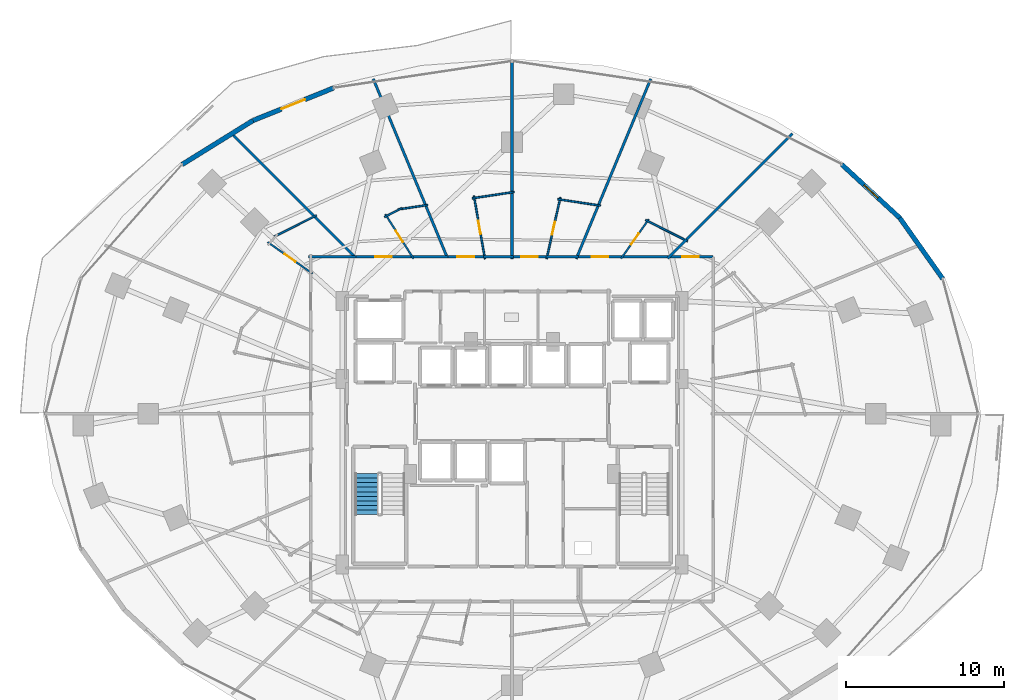
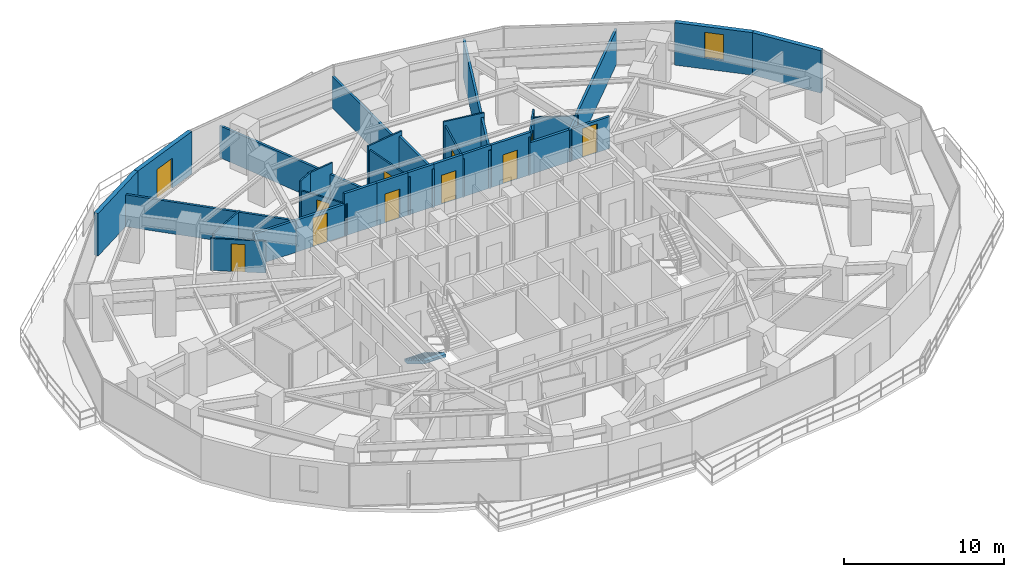
# One storey, part 31 of 36: 33 walls, 11 doors, 1 stair flight, 1 window, 12 openings, 1 element without a shape of its own.
"""IFC4 building model written with IfcOpenShell, lengths in metres."""

from ifc_helpers import new_model, si_unit, direction, frame, frame_2d, origin, place, context, subcontext, project, spatial, polyline, rectangle, outline, extrude, material, layer, layer_set, type_object, element, fill, aggregate, save


model = new_model("IFC4")

# Units and contexts
model_context = context("Model", 3, precision=1e-05, world=origin(), true_north=direction((0.0, 1.0)))
body_context = subcontext(model_context, "Body", "Model", "MODEL_VIEW")
ifc_project = project(units=[si_unit("LENGTHUNIT", "METRE"), si_unit("AREAUNIT", "SQUARE_METRE"), si_unit("VOLUMEUNIT", "CUBIC_METRE"), si_unit("PLANEANGLEUNIT", "RADIAN"), si_unit("MASSUNIT", "GRAM", prefix="KILO")], contexts=[model_context])

# Site, building, storey
site_placement = place(None, origin())
site = spatial("IfcSite", under=ifc_project, at=site_placement, CompositionType="ELEMENT")
building_placement = place(site_placement, origin())
building = spatial("IfcBuilding", under=site, at=building_placement, Name="Vorneva Point Tower", CompositionType="ELEMENT")
storey_placement = place(building_placement, frame((0.0, 0.0, 24.0)))
storey = spatial("IfcBuildingStorey", under=building, at=storey_placement, Name="L05", CompositionType="ELEMENT", Elevation=24.0)

# Wall
ifc_material_1 = material(Name="Precast concrete B50 (C40/50)", Category="concrete")
ifc_layer_1 = layer(ifc_material_1, 0.300048828125)
ifc_layer_set_1 = layer_set([ifc_layer_1], Name="Precast concrete B50 (C40/50)")
wall_type_1 = type_object("IfcWallType", Name="WL-EXT-300", PredefinedType="STANDARD", material=ifc_layer_set_1)
wall_1_placement = place(storey_placement, frame((65.300537109375, 34.552978515625, 0.0), z_axis=(0.0, 0.0, 1.0), x_axis=(-0.577130815624, 0.816651713803, 0.0)))
element("IfcWall", 1, at=wall_1_placement, inside=storey, type_object=wall_type_1, Name="L05 Pale-Metal Facade Spandrel Wall 02.1", PredefinedType="STANDARD", context=body_context, shape_type="SweptSolid", body=[
    extrude(rectangle(XDim=4.7314453125, YDim=0.300048828125, at=frame_2d((2.36572265625, 0.0))), origin(), (0.0, 0.0, 1.0), 3.239990234375),
])

# Wall, opening, window
wall_2_placement = place(storey_placement, frame((62.56982421875, 38.4169921875, 0.0), z_axis=(0.0, 0.0, 1.0), x_axis=(-0.735342629635, 0.677695519419, 0.0)))
wall_2 = element("IfcWall", 2, at=wall_2_placement, inside=storey, type_object=wall_type_1, Name="L05 Pale-Metal Facade Spandrel Wall 02.2", PredefinedType="STANDARD", context=body_context, shape_type="SweptSolid", body=[
    extrude(rectangle(XDim=4.997314453125, YDim=0.300048828125, at=frame_2d((2.49853515625, 0.0))), origin(), (0.0, 0.0, 1.0), 3.239990234375),
])
opening_1_placement = place(wall_2_placement, frame((1.868896484375, 0.0, 0.85009765625)))
opening_1 = element("IfcOpeningElement", 3, at=opening_1_placement, cuts=wall_2, Name="Opening W-04", PredefinedType="OPENING", context=body_context, shape_type="SweptSolid", body=[
    extrude(rectangle(XDim=1.199951171875, YDim=1.949951171875, at=frame_2d((0.60009765625, 0.97509765625))), frame((0.0, 0.1650390625, 0.0), z_axis=(0.0, -1.0, 0.0), x_axis=(1.0, 0.0, 0.0)), (0.0, 0.0, 1.0), 0.329833984375),
])
ifc_material_2 = material(Name="Double low-e laminated glass IGU", Category="glass")
window_type = type_object("IfcWindowType", Name="WN-RES-1200", PartitioningType="SINGLE_PANEL", PredefinedType="WINDOW", material=ifc_material_2)
window_placement = place(opening_1_placement, origin())
window = element("IfcWindow", 4, at=window_placement, inside=storey, type_object=window_type, Name="L05 Dwelling Vision Window 01", OverallHeight=1.949951171875, OverallWidth=1.199951171875, PartitioningType="SINGLE_PANEL", PredefinedType="WINDOW", context=body_context, shape_type="SweptSolid", body=[
    extrude(rectangle(XDim=1.199951171875, YDim=1.949951171875, at=frame_2d((0.60009765625, 0.97509765625))), frame((0.0, 0.030029296875, 0.0), z_axis=(0.0, -1.0, 0.0), x_axis=(1.0, 0.0, 0.0)), (0.0, 0.0, 1.0), 0.06005859375),
])
fill(opening_1, window)

# Wall, opening, door
wall_3_placement = place(storey_placement, frame((26.691650390625, 46.648681640625, 0.0), z_axis=(0.0, 0.0, 1.0), x_axis=(-0.927095325176, -0.374825636845, 0.0)))
wall_3 = element("IfcWall", 5, at=wall_3_placement, inside=storey, type_object=wall_type_1, Name="L05 Pale-Metal Facade Spandrel Wall 06.1", PredefinedType="STANDARD", context=body_context, shape_type="SweptSolid", body=[
    extrude(rectangle(XDim=5.51025390625, YDim=0.300048828125, at=frame_2d((2.755126953125, 0.0))), origin(), (0.0, 0.0, 1.0), 3.239990234375),
])
opening_2_placement = place(wall_3_placement, frame((1.955322265625, 0.0, 0.0)))
opening_2 = element("IfcOpeningElement", 6, at=opening_2_placement, cuts=wall_3, Name="Opening BD-01", PredefinedType="OPENING", context=body_context, shape_type="SweptSolid", body=[
    extrude(rectangle(XDim=1.60009765625, YDim=2.300048828125, at=frame_2d((0.800048828125, 1.14990234375))), frame((0.0, 0.1650390625, 0.0), z_axis=(0.0, -1.0, 0.0), x_axis=(1.0, 0.0, 0.0)), (0.0, 0.0, 1.0), 0.329833984375),
])
ifc_material_3 = material(Name="Pale anodised aluminium", Category="aluminium")
door_type_1 = type_object("IfcDoorType", Name="DR-BAL-1600", OperationType="SLIDING_TO_LEFT", PredefinedType="DOOR", material=ifc_material_3)
door_1_placement = place(opening_2_placement, origin())
door_1 = element("IfcDoor", 7, at=door_1_placement, inside=storey, type_object=door_type_1, Name="L05 Balcony Terrace Access Door 06", OperationType="SLIDING_TO_LEFT", OverallHeight=2.300048828125, OverallWidth=1.60009765625, PredefinedType="DOOR", context=body_context, shape_type="SweptSolid", body=[
    extrude(rectangle(XDim=1.60009765625, YDim=2.300048828125, at=frame_2d((0.800048828125, 1.14990234375))), frame((0.0, 0.02490234375, 0.0), z_axis=(0.0, -1.0, 0.0), x_axis=(1.0, 0.0, 0.0)), (0.0, 0.0, 1.0), 0.050048828125),
])
fill(opening_2, door_1)

# Walls
wall_4_placement = place(storey_placement, frame((21.5830078125, 44.583251953125, 0.0), z_axis=(0.0, 0.0, 1.0), x_axis=(-0.849633724826, -0.527373239404, 0.0)))
element("IfcWall", 8, at=wall_4_placement, inside=storey, type_object=wall_type_1, Name="L05 Pale-Metal Facade Spandrel Wall 06.2", PredefinedType="STANDARD", context=body_context, shape_type="SweptSolid", body=[
    extrude(rectangle(XDim=5.2705078125, YDim=0.300048828125, at=frame_2d((2.63525390625, 0.0))), origin(), (0.0, 0.0, 1.0), 3.239990234375),
])
ifc_material_4 = material(Name="Fire-rated acoustic gypsum stud partition", Category="gypsum")
ifc_layer_2 = layer(ifc_material_4, 0.110107421875)
ifc_layer_set_2 = layer_set([ifc_layer_2], Name="Fire-rated acoustic gypsum stud partition")
wall_type_2 = type_object("IfcWallType", Name="WL-PART-110", PredefinedType="PARTITIONING", material=ifc_layer_set_2)
wall_5_placement = place(storey_placement, frame((46.462158203125, 38.281005859375, 0.0), z_axis=(0.0, 0.0, 1.0), x_axis=(0.892486842203, -0.451073426944, 0.0)))
element("IfcWall", 9, at=wall_5_placement, inside=storey, type_object=wall_type_2, Name="L05 Interior Partition 068", PredefinedType="PARTITIONING", context=body_context, shape_type="SweptSolid", body=[
    extrude(rectangle(XDim=2.982177734375, YDim=0.110107421875, at=frame_2d((1.4912109375, 0.0))), origin(), (0.0, 0.0, 1.0), 2.431884765625),
])

# Wall, opening, door
wall_6_placement = place(storey_placement, frame((44.91259765625, 35.83544921875, 0.0), z_axis=(0.0, 0.0, 1.0), x_axis=(0.574986040322, 0.818163219312, 0.0)))
wall_6 = element("IfcWall", 10, at=wall_6_placement, inside=storey, type_object=wall_type_2, Name="L05 Interior Partition 069", PredefinedType="PARTITIONING", context=body_context, shape_type="SweptSolid", body=[
    extrude(rectangle(XDim=3.052001953125, YDim=0.110107421875, at=frame_2d((1.52587890625, 0.0))), origin(), (0.0, 0.0, 1.0), 2.922119140625),
])
opening_3_placement = place(wall_6_placement, frame((1.10107421875, 0.0, 0.0)))
opening_3 = element("IfcOpeningElement", 11, at=opening_3_placement, cuts=wall_6, Name="Opening ID-02", PredefinedType="OPENING", context=body_context, shape_type="SweptSolid", body=[
    extrude(rectangle(XDim=0.85009765625, YDim=2.10009765625, at=frame_2d((0.425048828125, 1.050048828125))), frame((0.0, 0.06982421875, 0.0), z_axis=(0.0, -1.0, 0.0), x_axis=(1.0, 0.0, 0.0)), (0.0, 0.0, 1.0), 0.139892578125),
])
ifc_material_5 = material(Name="Engineered oak fire-rated door leaf", Category="wood")
door_type_2 = type_object("IfcDoorType", Name="DR-BATH-850", OperationType="NOTDEFINED", PredefinedType="DOOR", material=ifc_material_5)
door_2_placement = place(opening_3_placement, origin())
door_2 = element("IfcDoor", 12, at=door_2_placement, inside=storey, type_object=door_type_2, Name="L05 Door Corner Suite L05-03 / En-Suite Bathroom L05-03", OperationType="SINGLE_SWING_LEFT", OverallHeight=2.10009765625, OverallWidth=0.85009765625, PredefinedType="DOOR", context=body_context, shape_type="SweptSolid", body=[
    extrude(rectangle(XDim=0.85009765625, YDim=2.10009765625, at=frame_2d((0.425048828125, 1.050048828125))), frame((0.0, 0.02490234375, 0.0), z_axis=(0.0, -1.0, 0.0), x_axis=(1.0, 0.0, 0.0)), (0.0, 0.0, 1.0), 0.050048828125),
])
fill(opening_3, door_2)

wall_7_placement = place(storey_placement, frame((40.193603515625, 35.8134765625, 0.0), z_axis=(0.0, 0.0, 1.0), x_axis=(0.21804880916, 0.975937865248, 0.0)))
wall_7 = element("IfcWall", 13, at=wall_7_placement, inside=storey, type_object=wall_type_2, Name="L05 Interior Partition 072", PredefinedType="PARTITIONING", context=body_context, shape_type="SweptSolid", body=[
    extrude(rectangle(XDim=3.998291015625, YDim=0.110107421875, at=frame_2d((1.9990234375, 0.0))), origin(), (0.0, 0.0, 1.0), 2.922119140625),
])
opening_4_placement = place(wall_7_placement, frame((1.57421875, 0.0, 0.0)))
opening_4 = element("IfcOpeningElement", 14, at=opening_4_placement, cuts=wall_7, Name="Opening ID-02", PredefinedType="OPENING", context=body_context, shape_type="SweptSolid", body=[
    extrude(rectangle(XDim=0.85009765625, YDim=2.10009765625, at=frame_2d((0.425048828125, 1.050048828125))), frame((0.0, 0.06982421875, 0.0), z_axis=(0.0, -1.0, 0.0), x_axis=(1.0, 0.0, 0.0)), (0.0, 0.0, 1.0), 0.139892578125),
])
door_3_placement = place(opening_4_placement, origin())
door_3 = element("IfcDoor", 15, at=door_3_placement, inside=storey, type_object=door_type_2, Name="L05 Door Junior Suite L05-04 / En-Suite Bathroom L05-04", OperationType="SINGLE_SWING_RIGHT", OverallHeight=2.10009765625, OverallWidth=0.85009765625, PredefinedType="DOOR", context=body_context, shape_type="SweptSolid", body=[
    extrude(rectangle(XDim=0.85009765625, YDim=2.10009765625, at=frame_2d((0.425048828125, 1.050048828125))), frame((0.0, 0.02490234375, 0.0), z_axis=(0.0, -1.0, 0.0), x_axis=(1.0, 0.0, 0.0)), (0.0, 0.0, 1.0), 0.050048828125),
])
fill(opening_4, door_3)

# Walls
wall_8_placement = place(storey_placement, frame((40.896484375, 39.599853515625, 0.0), z_axis=(0.0, 0.0, 1.0), x_axis=(0.98891024541, -0.148514398367, 0.0)))
element("IfcWall", 16, at=wall_8_placement, inside=storey, type_object=wall_type_2, Name="L05 Interior Partition 073", PredefinedType="PARTITIONING", context=body_context, shape_type="SweptSolid", body=[
    extrude(rectangle(XDim=2.745361328125, YDim=0.110107421875, at=frame_2d((1.37255859375, 0.0))), origin(), (0.0, 0.0, 1.0), 3.239990234375),
])
wall_9_placement = place(storey_placement, frame((35.474609375, 39.65625, 0.0), z_axis=(0.0, 0.0, 1.0), x_axis=(0.988878442063, 0.148726012595, 0.0)))
element("IfcWall", 17, at=wall_9_placement, inside=storey, type_object=wall_type_2, Name="L05 Interior Partition 076", PredefinedType="PARTITIONING", context=body_context, shape_type="SweptSolid", body=[
    extrude(rectangle(XDim=2.69384765625, YDim=0.110107421875, at=frame_2d((1.346923828125, 0.0))), origin(), (0.0, 0.0, 1.0), 3.239990234375),
])

# Wall, opening, door
wall_10_placement = place(storey_placement, frame((36.287109375, 35.81201171875, 0.0), z_axis=(0.0, 0.0, 1.0), x_axis=(-0.171838135253, 0.985125197766, 0.0)))
wall_10 = element("IfcWall", 18, at=wall_10_placement, inside=storey, type_object=wall_type_2, Name="L05 Interior Partition 077", PredefinedType="PARTITIONING", context=body_context, shape_type="SweptSolid", body=[
    extrude(rectangle(XDim=4.0634765625, YDim=0.110107421875, at=frame_2d((2.03173828125, 0.0))), origin(), (0.0, 0.0, 1.0), 2.922119140625),
])
opening_5_placement = place(wall_10_placement, frame((1.606689453125, 0.0, 0.0)))
opening_5 = element("IfcOpeningElement", 19, at=opening_5_placement, cuts=wall_10, Name="Opening ID-02", PredefinedType="OPENING", context=body_context, shape_type="SweptSolid", body=[
    extrude(rectangle(XDim=0.85009765625, YDim=2.10009765625, at=frame_2d((0.425048828125, 1.050048828125))), frame((0.0, 0.06982421875, 0.0), z_axis=(0.0, -1.0, 0.0), x_axis=(1.0, 0.0, 0.0)), (0.0, 0.0, 1.0), 0.139892578125),
])
door_4_placement = place(opening_5_placement, origin())
door_4 = element("IfcDoor", 20, at=door_4_placement, inside=storey, type_object=door_type_2, Name="L05 Door Executive Suite L05-05 / En-Suite Bathroom L05-05", OperationType="SINGLE_SWING_LEFT", OverallHeight=2.10009765625, OverallWidth=0.85009765625, PredefinedType="DOOR", context=body_context, shape_type="SweptSolid", body=[
    extrude(rectangle(XDim=0.85009765625, YDim=2.10009765625, at=frame_2d((0.425048828125, 1.050048828125))), frame((0.0, 0.02490234375, 0.0), z_axis=(0.0, -1.0, 0.0), x_axis=(1.0, 0.0, 0.0)), (0.0, 0.0, 1.0), 0.050048828125),
])
fill(opening_5, door_4)

# Walls
wall_11_placement = place(storey_placement, frame((29.919189453125, 38.47265625, 0.0), z_axis=(0.0, 0.0, 1.0), x_axis=(0.892084606746, 0.45186840386, 0.0)))
element("IfcWall", 21, at=wall_11_placement, inside=storey, type_object=wall_type_2, Name="L05 Interior Partition 079", PredefinedType="PARTITIONING", context=body_context, shape_type="SweptSolid", body=[
    extrude(rectangle(XDim=1.236083984375, YDim=0.110107421875, at=frame_2d((0.6181640625, 0.0))), origin(), (0.0, 0.0, 1.0), 3.239990234375),
])
wall_12_placement = place(storey_placement, frame((30.758544921875, 38.947265625, 0.0), z_axis=(0.0, 0.0, 1.0), x_axis=(0.988889867338, 0.148650026153, 0.0)))
element("IfcWall", 22, at=wall_12_placement, inside=storey, type_object=wall_type_2, Name="L05 Interior Partition 080", PredefinedType="PARTITIONING", context=body_context, shape_type="SweptSolid", body=[
    extrude(rectangle(XDim=1.92822265625, YDim=0.110107421875, at=frame_2d((0.964111328125, 0.0))), origin(), (0.0, 0.0, 1.0), 3.239990234375),
])

# Wall, opening, door
wall_13_placement = place(storey_placement, frame((31.760986328125, 35.831787109375, 0.0), z_axis=(0.0, 0.0, 1.0), x_axis=(-0.535991614842, 0.844223305067, 0.0)))
wall_13 = element("IfcWall", 23, at=wall_13_placement, inside=storey, type_object=wall_type_2, Name="L05 Interior Partition 081", PredefinedType="PARTITIONING", context=body_context, shape_type="SweptSolid", body=[
    extrude(rectangle(XDim=3.34326171875, YDim=0.110107421875, at=frame_2d((1.671630859375, 0.0))), origin(), (0.0, 0.0, 1.0), 2.431884765625),
])
opening_6_placement = place(wall_13_placement, frame((1.24658203125, 0.0, 0.0)))
opening_6 = element("IfcOpeningElement", 24, at=opening_6_placement, cuts=wall_13, Name="Opening ID-02", PredefinedType="OPENING", context=body_context, shape_type="SweptSolid", body=[
    extrude(rectangle(XDim=0.85009765625, YDim=2.10009765625, at=frame_2d((0.425048828125, 1.050048828125))), frame((0.0, 0.06982421875, 0.0), z_axis=(0.0, -1.0, 0.0), x_axis=(1.0, 0.0, 0.0)), (0.0, 0.0, 1.0), 0.139892578125),
])
door_5_placement = place(opening_6_placement, origin())
door_5 = element("IfcDoor", 25, at=door_5_placement, inside=storey, type_object=door_type_2, Name="L05 Door Corner Suite L05-06 / En-Suite Bathroom L05-06", OperationType="SINGLE_SWING_RIGHT", OverallHeight=2.10009765625, OverallWidth=0.85009765625, PredefinedType="DOOR", context=body_context, shape_type="SweptSolid", body=[
    extrude(rectangle(XDim=0.85009765625, YDim=2.10009765625, at=frame_2d((0.425048828125, 1.050048828125))), frame((0.0, 0.02490234375, 0.0), z_axis=(0.0, -1.0, 0.0), x_axis=(1.0, 0.0, 0.0)), (0.0, 0.0, 1.0), 0.050048828125),
])
fill(opening_6, door_5)

# Wall
wall_14_placement = place(storey_placement, frame((22.941162109375, 37.23095703125, 0.0), z_axis=(0.0, 0.0, 1.0), x_axis=(0.892507731149, 0.451032094024, 0.0)))
element("IfcWall", 26, at=wall_14_placement, inside=storey, type_object=wall_type_2, Name="L05 Interior Partition 084", PredefinedType="PARTITIONING", context=body_context, shape_type="SweptSolid", body=[
    extrude(rectangle(XDim=2.989013671875, YDim=0.110107421875, at=frame_2d((1.49462890625, 0.0))), origin(), (0.0, 0.0, 1.0), 2.431884765625),
])

# Wall, opening, door
wall_15_placement = place(storey_placement, frame((25.364501953125, 34.880615234375, 0.0), z_axis=(0.0, 0.0, 1.0), x_axis=(-0.81809360258, 0.575085087111, 0.0)))
wall_15 = element("IfcWall", 27, at=wall_15_placement, inside=storey, type_object=wall_type_2, Name="L05 Interior Partition 085", PredefinedType="PARTITIONING", context=body_context, shape_type="SweptSolid", body=[
    extrude(rectangle(XDim=3.481201171875, YDim=0.110107421875, at=frame_2d((1.74072265625, 0.0))), origin(), (0.0, 0.0, 1.0), 2.431884765625),
])
opening_7_placement = place(wall_15_placement, frame((1.315673828125, 0.0, 0.0)))
opening_7 = element("IfcOpeningElement", 28, at=opening_7_placement, cuts=wall_15, Name="Opening ID-02", PredefinedType="OPENING", context=body_context, shape_type="SweptSolid", body=[
    extrude(rectangle(XDim=0.85009765625, YDim=2.10009765625, at=frame_2d((0.425048828125, 1.050048828125))), frame((0.0, 0.06982421875, 0.0), z_axis=(0.0, -1.0, 0.0), x_axis=(1.0, 0.0, 0.0)), (0.0, 0.0, 1.0), 0.139892578125),
])
door_6_placement = place(opening_7_placement, origin())
door_6 = element("IfcDoor", 29, at=door_6_placement, inside=storey, type_object=door_type_2, Name="L05 Door Junior Suite L05-07 / En-Suite Bathroom L05-07", OperationType="SINGLE_SWING_LEFT", OverallHeight=2.10009765625, OverallWidth=0.85009765625, PredefinedType="DOOR", context=body_context, shape_type="SweptSolid", body=[
    extrude(rectangle(XDim=0.85009765625, YDim=2.10009765625, at=frame_2d((0.425048828125, 1.050048828125))), frame((0.0, 0.02490234375, 0.0), z_axis=(0.0, -1.0, 0.0), x_axis=(1.0, 0.0, 0.0)), (0.0, 0.0, 1.0), 0.050048828125),
])
fill(opening_7, door_6)

# Walls
ifc_layer_3 = layer(ifc_material_4, 0.159912109375)
ifc_layer_set_3 = layer_set([ifc_layer_3], Name="Fire-rated acoustic gypsum stud partition")
wall_type_3 = type_object("IfcWallType", Name="WL-PART-160", PredefinedType="PARTITIONING", material=ifc_layer_set_3)
wall_16_placement = place(storey_placement, frame((55.7529296875, 43.7529296875, 0.0), z_axis=(0.0, 0.0, 1.0), x_axis=(-0.707106781187, -0.707106781187, 0.0)))
element("IfcWall", 30, at=wall_16_placement, inside=storey, type_object=wall_type_3, Name="L05 Interior Partition 066", PredefinedType="PARTITIONING", context=body_context, shape_type="SweptSolid", body=[
    extrude(rectangle(XDim=9.614990234375, YDim=0.159912109375, at=frame_2d((4.8076171875, 0.0))), origin(), (0.0, 0.0, 1.0), 2.6240234375),
])
wall_17_placement = place(storey_placement, frame((49.052978515625, 37.052978515625, 0.0), z_axis=(0.0, 0.0, 1.0), x_axis=(-0.707106781187, -0.707106781187, 0.0)))
element("IfcWall", 31, at=wall_17_placement, inside=storey, type_object=wall_type_3, Name="L05 Interior Partition 067", PredefinedType="PARTITIONING", context=body_context, shape_type="SweptSolid", body=[
    extrude(rectangle(XDim=1.69970703125, YDim=0.159912109375, at=frame_2d((0.849853515625, 0.0))), origin(), (0.0, 0.0, 1.0), 2.431884765625),
])
wall_18_placement = place(storey_placement, frame((46.7919921875, 47.22509765625, 0.0), z_axis=(0.0, 0.0, 1.0), x_axis=(-0.382750893248, -0.923851586413, 0.0)))
element("IfcWall", 32, at=wall_18_placement, inside=storey, type_object=wall_type_3, Name="L05 Interior Partition 070", PredefinedType="PARTITIONING", context=body_context, shape_type="SweptSolid", body=[
    extrude(rectangle(XDim=8.734130859375, YDim=0.159912109375, at=frame_2d((4.3671875, 0.0))), origin(), (0.0, 0.0, 1.0), 2.8740234375),
])
wall_19_placement = place(storey_placement, frame((43.503173828125, 39.28515625, 0.0), z_axis=(0.0, 0.0, 1.0), x_axis=(-0.382867331148, -0.923803337697, 0.0)))
element("IfcWall", 33, at=wall_19_placement, inside=storey, type_object=wall_type_3, Name="L05 Interior Partition 071", PredefinedType="PARTITIONING", context=body_context, shape_type="SweptSolid", body=[
    extrude(rectangle(XDim=3.75, YDim=0.159912109375, at=frame_2d((1.875, 0.0))), origin(), (0.0, 0.0, 1.0), 2.922119140625),
])
wall_20_placement = place(storey_placement, frame((38.0, 48.35009765625, 0.0), z_axis=(0.0, 0.0, 1.0), x_axis=(0.0, -1.0, 0.0)))
element("IfcWall", 34, at=wall_20_placement, inside=storey, type_object=wall_type_3, Name="L05 Interior Partition 074", PredefinedType="PARTITIONING", context=body_context, shape_type="SweptSolid", body=[
    extrude(rectangle(XDim=8.375, YDim=0.159912109375, at=frame_2d((4.1875, 0.0))), origin(), (0.0, 0.0, 1.0), 2.431884765625),
])
wall_21_placement = place(storey_placement, frame((38.0, 40.114990234375, 0.0), z_axis=(0.0, 0.0, 1.0), x_axis=(0.0, -1.0, 0.0)))
element("IfcWall", 35, at=wall_21_placement, inside=storey, type_object=wall_type_3, Name="L05 Interior Partition 075", PredefinedType="PARTITIONING", context=body_context, shape_type="SweptSolid", body=[
    extrude(rectangle(XDim=4.304931640625, YDim=0.159912109375, at=frame_2d((2.15234375, 0.0))), origin(), (0.0, 0.0, 1.0), 2.922119140625),
])
wall_22_placement = place(storey_placement, frame((29.2080078125, 47.22509765625, 0.0), z_axis=(0.0, 0.0, 1.0), x_axis=(0.382723985517, -0.923862733803, 0.0)))
element("IfcWall", 36, at=wall_22_placement, inside=storey, type_object=wall_type_3, Name="L05 Interior Partition 078", PredefinedType="PARTITIONING", context=body_context, shape_type="SweptSolid", body=[
    extrude(rectangle(XDim=12.204345703125, YDim=0.159912109375, at=frame_2d((6.10205078125, 0.0))), origin(), (0.0, 0.0, 1.0), 2.431884765625),
])
wall_23_placement = place(storey_placement, frame((20.2470703125, 43.7529296875, 0.0), z_axis=(0.0, 0.0, 1.0), x_axis=(0.707106781187, -0.707106781187, 0.0)))
element("IfcWall", 37, at=wall_23_placement, inside=storey, type_object=wall_type_3, Name="L05 Interior Partition 082", PredefinedType="PARTITIONING", context=body_context, shape_type="SweptSolid", body=[
    extrude(rectangle(XDim=11.03515625, YDim=0.159912109375, at=frame_2d((5.517578125, 0.0))), origin(), (0.0, 0.0, 1.0), 2.431884765625),
])

# Wall, opening, door
ifc_material_6 = material(Name="Autoclaved aerated concrete blockwork", Category="masonry")
ifc_layer_4 = layer(ifc_material_6, 0.179931640625)
ifc_layer_set_4 = layer_set([ifc_layer_4], Name="Autoclaved aerated concrete blockwork")
wall_type_4 = type_object("IfcWallType", Name="WL-PART-180", PredefinedType="PARTITIONING", material=ifc_layer_set_4)
wall_24_placement = place(storey_placement, frame((50.75, 35.949951171875, 0.0), z_axis=(0.0, 0.0, 1.0), x_axis=(-1.0, 0.0, 0.0)))
wall_24 = element("IfcWall", 38, at=wall_24_placement, inside=storey, type_object=wall_type_4, Name="L05 Interior Partition 029", PredefinedType="PARTITIONING", context=body_context, shape_type="SweptSolid", body=[
    extrude(rectangle(XDim=2.860107421875, YDim=0.179931640625, at=frame_2d((1.43017578125, 0.0))), origin(), (0.0, 0.0, 1.0), 2.431884765625),
])
opening_8_placement = place(wall_24_placement, frame((0.905029296875, 0.0, 0.0)))
opening_8 = element("IfcOpeningElement", 39, at=opening_8_placement, cuts=wall_24, Name="Opening UD-02", PredefinedType="OPENING", context=body_context, shape_type="SweptSolid", body=[
    extrude(rectangle(XDim=1.050048828125, YDim=2.199951171875, at=frame_2d((0.52490234375, 1.10009765625))), frame((0.0, 0.10498046875, 0.0), z_axis=(0.0, -1.0, 0.0), x_axis=(1.0, 0.0, 0.0)), (0.0, 0.0, 1.0), 0.209716796875),
])
door_type_3 = type_object("IfcDoorType", Name="DR-SUITE-1050", OperationType="NOTDEFINED", PredefinedType="DOOR", material=ifc_material_5)
door_7_placement = place(opening_8_placement, origin())
door_7 = element("IfcDoor", 40, at=door_7_placement, inside=storey, type_object=door_type_3, Name="L05 Door L05 Circulation Corridor / Executive Suite L05-02", OperationType="SINGLE_SWING_RIGHT", OverallHeight=2.199951171875, OverallWidth=1.050048828125, PredefinedType="DOOR", context=body_context, shape_type="SweptSolid", body=[
    extrude(rectangle(XDim=1.050048828125, YDim=2.199951171875, at=frame_2d((0.52490234375, 1.10009765625))), frame((0.0, 0.02490234375, 0.0), z_axis=(0.0, -1.0, 0.0), x_axis=(1.0, 0.0, 0.0)), (0.0, 0.0, 1.0), 0.050048828125),
])
fill(opening_8, door_7)

wall_25_placement = place(storey_placement, frame((45.06591796875, 35.949951171875, 0.0), z_axis=(0.0, 0.0, 1.0), x_axis=(-1.0, 0.0, 0.0)))
wall_25 = element("IfcWall", 41, at=wall_25_placement, inside=storey, type_object=wall_type_4, Name="L05 Interior Partition 031", PredefinedType="PARTITIONING", context=body_context, shape_type="SweptSolid", body=[
    extrude(rectangle(XDim=3.0048828125, YDim=0.179931640625, at=frame_2d((1.50244140625, 0.0))), origin(), (0.0, 0.0, 1.0), 3.239990234375),
])
opening_9_placement = place(wall_25_placement, frame((0.9775390625, 0.0, 0.0)))
opening_9 = element("IfcOpeningElement", 42, at=opening_9_placement, cuts=wall_25, Name="Opening UD-02", PredefinedType="OPENING", context=body_context, shape_type="SweptSolid", body=[
    extrude(rectangle(XDim=1.050048828125, YDim=2.199951171875, at=frame_2d((0.52490234375, 1.10009765625))), frame((0.0, 0.10498046875, 0.0), z_axis=(0.0, -1.0, 0.0), x_axis=(1.0, 0.0, 0.0)), (0.0, 0.0, 1.0), 0.209716796875),
])
door_8_placement = place(opening_9_placement, origin())
door_8 = element("IfcDoor", 43, at=door_8_placement, inside=storey, type_object=door_type_3, Name="L05 Door L05 Circulation Corridor / Corner Suite L05-03", OperationType="SINGLE_SWING_LEFT", OverallHeight=2.199951171875, OverallWidth=1.050048828125, PredefinedType="DOOR", context=body_context, shape_type="SweptSolid", body=[
    extrude(rectangle(XDim=1.050048828125, YDim=2.199951171875, at=frame_2d((0.52490234375, 1.10009765625))), frame((0.0, 0.02490234375, 0.0), z_axis=(0.0, -1.0, 0.0), x_axis=(1.0, 0.0, 0.0)), (0.0, 0.0, 1.0), 0.050048828125),
])
fill(opening_9, door_8)

# Wall
wall_26_placement = place(storey_placement, frame((48.030029296875, 35.949951171875, 0.0), z_axis=(0.0, 0.0, 1.0), x_axis=(-1.0, 0.0, 0.0)))
element("IfcWall", 44, at=wall_26_placement, inside=storey, type_object=wall_type_4, Name="L05 Interior Partition 032", PredefinedType="PARTITIONING", context=body_context, shape_type="SweptSolid", body=[
    extrude(rectangle(XDim=3.10400390625, YDim=0.179931640625, at=frame_2d((1.552001953125, 0.0))), origin(), (0.0, 0.0, 1.0), 2.431884765625),
])

# Wall, opening, door
wall_27_placement = place(storey_placement, frame((40.284912109375, 35.949951171875, 0.0), z_axis=(0.0, 0.0, 1.0), x_axis=(-1.0, 0.0, 0.0)))
wall_27 = element("IfcWall", 45, at=wall_27_placement, inside=storey, type_object=wall_type_4, Name="L05 Interior Partition 033", PredefinedType="PARTITIONING", context=body_context, shape_type="SweptSolid", body=[
    extrude(rectangle(XDim=2.344970703125, YDim=0.179931640625, at=frame_2d((1.17236328125, 0.0))), origin(), (0.0, 0.0, 1.0), 3.239990234375),
])
opening_10_placement = place(wall_27_placement, frame((0.6474609375, 0.0, 0.0)))
opening_10 = element("IfcOpeningElement", 46, at=opening_10_placement, cuts=wall_27, Name="Opening UD-02", PredefinedType="OPENING", context=body_context, shape_type="SweptSolid", body=[
    extrude(rectangle(XDim=1.050048828125, YDim=2.199951171875, at=frame_2d((0.52490234375, 1.10009765625))), frame((0.0, 0.10498046875, 0.0), z_axis=(0.0, -1.0, 0.0), x_axis=(1.0, 0.0, 0.0)), (0.0, 0.0, 1.0), 0.209716796875),
])
door_9_placement = place(opening_10_placement, origin())
door_9 = element("IfcDoor", 47, at=door_9_placement, inside=storey, type_object=door_type_3, Name="L05 Door L05 Circulation Corridor / Junior Suite L05-04", OperationType="SINGLE_SWING_RIGHT", OverallHeight=2.199951171875, OverallWidth=1.050048828125, PredefinedType="DOOR", context=body_context, shape_type="SweptSolid", body=[
    extrude(rectangle(XDim=1.050048828125, YDim=2.199951171875, at=frame_2d((0.52490234375, 1.10009765625))), frame((0.0, 0.02490234375, 0.0), z_axis=(0.0, -1.0, 0.0), x_axis=(1.0, 0.0, 0.0)), (0.0, 0.0, 1.0), 0.050048828125),
])
fill(opening_10, door_9)

# Wall
wall_28_placement = place(storey_placement, frame((42.200927734375, 35.949951171875, 0.0), z_axis=(0.0, 0.0, 1.0), x_axis=(-1.0, 0.0, 0.0)))
element("IfcWall", 48, at=wall_28_placement, inside=storey, type_object=wall_type_4, Name="L05 Interior Partition 034", PredefinedType="PARTITIONING", context=body_context, shape_type="SweptSolid", body=[
    extrude(rectangle(XDim=2.055908203125, YDim=0.179931640625, at=frame_2d((1.02783203125, 0.0))), origin(), (0.0, 0.0, 1.0), 3.239990234375),
])

# Wall, opening, door
wall_29_placement = place(storey_placement, frame((36.322998046875, 35.949951171875, 0.0), z_axis=(0.0, 0.0, 1.0), x_axis=(-1.0, 0.0, 0.0)))
wall_29 = element("IfcWall", 49, at=wall_29_placement, inside=storey, type_object=wall_type_4, Name="L05 Interior Partition 035", PredefinedType="PARTITIONING", context=body_context, shape_type="SweptSolid", body=[
    extrude(rectangle(XDim=2.509033203125, YDim=0.179931640625, at=frame_2d((1.25439453125, 0.0))), origin(), (0.0, 0.0, 1.0), 3.239990234375),
])
opening_11_placement = place(wall_29_placement, frame((0.7294921875, 0.0, 0.0)))
opening_11 = element("IfcOpeningElement", 50, at=opening_11_placement, cuts=wall_29, Name="Opening UD-02", PredefinedType="OPENING", context=body_context, shape_type="SweptSolid", body=[
    extrude(rectangle(XDim=1.050048828125, YDim=2.199951171875, at=frame_2d((0.52490234375, 1.10009765625))), frame((0.0, 0.10498046875, 0.0), z_axis=(0.0, -1.0, 0.0), x_axis=(1.0, 0.0, 0.0)), (0.0, 0.0, 1.0), 0.209716796875),
])
door_10_placement = place(opening_11_placement, origin())
door_10 = element("IfcDoor", 51, at=door_10_placement, inside=storey, type_object=door_type_3, Name="L05 Door L05 Circulation Corridor / Executive Suite L05-05", OperationType="SINGLE_SWING_LEFT", OverallHeight=2.199951171875, OverallWidth=1.050048828125, PredefinedType="DOOR", context=body_context, shape_type="SweptSolid", body=[
    extrude(rectangle(XDim=1.050048828125, YDim=2.199951171875, at=frame_2d((0.52490234375, 1.10009765625))), frame((0.0, 0.02490234375, 0.0), z_axis=(0.0, -1.0, 0.0), x_axis=(1.0, 0.0, 0.0)), (0.0, 0.0, 1.0), 0.050048828125),
])
fill(opening_11, door_10)

# Wall
wall_30_placement = place(storey_placement, frame((38.080078125, 35.949951171875, 0.0), z_axis=(0.0, 0.0, 1.0), x_axis=(-1.0, 0.0, 0.0)))
element("IfcWall", 52, at=wall_30_placement, inside=storey, type_object=wall_type_4, Name="L05 Interior Partition 036", PredefinedType="PARTITIONING", context=body_context, shape_type="SweptSolid", body=[
    extrude(rectangle(XDim=1.89697265625, YDim=0.179931640625, at=frame_2d((0.948486328125, 0.0))), origin(), (0.0, 0.0, 1.0), 3.239990234375),
])

# Wall, opening, door
wall_31_placement = place(storey_placement, frame((31.74609375, 35.949951171875, 0.0), z_axis=(0.0, 0.0, 1.0), x_axis=(-1.0, 0.0, 0.0)))
wall_31 = element("IfcWall", 53, at=wall_31_placement, inside=storey, type_object=wall_type_4, Name="L05 Interior Partition 037", PredefinedType="PARTITIONING", context=body_context, shape_type="SweptSolid", body=[
    extrude(rectangle(XDim=3.781005859375, YDim=0.179931640625, at=frame_2d((1.890625, 0.0))), origin(), (0.0, 0.0, 1.0), 2.431884765625),
])
opening_12_placement = place(wall_31_placement, frame((1.365478515625, 0.0, 0.0)))
opening_12 = element("IfcOpeningElement", 54, at=opening_12_placement, cuts=wall_31, Name="Opening UD-02", PredefinedType="OPENING", context=body_context, shape_type="SweptSolid", body=[
    extrude(rectangle(XDim=1.050048828125, YDim=2.199951171875, at=frame_2d((0.52490234375, 1.10009765625))), frame((0.0, 0.10498046875, 0.0), z_axis=(0.0, -1.0, 0.0), x_axis=(1.0, 0.0, 0.0)), (0.0, 0.0, 1.0), 0.209716796875),
])
door_11_placement = place(opening_12_placement, origin())
door_11 = element("IfcDoor", 55, at=door_11_placement, inside=storey, type_object=door_type_3, Name="L05 Door L05 Circulation Corridor / Corner Suite L05-06", OperationType="SINGLE_SWING_RIGHT", OverallHeight=2.199951171875, OverallWidth=1.050048828125, PredefinedType="DOOR", context=body_context, shape_type="SweptSolid", body=[
    extrude(rectangle(XDim=1.050048828125, YDim=2.199951171875, at=frame_2d((0.52490234375, 1.10009765625))), frame((0.0, 0.02490234375, 0.0), z_axis=(0.0, -1.0, 0.0), x_axis=(1.0, 0.0, 0.0)), (0.0, 0.0, 1.0), 0.050048828125),
])
fill(opening_12, door_11)

# Walls
wall_32_placement = place(storey_placement, frame((33.9541015625, 35.949951171875, 0.0), z_axis=(0.0, 0.0, 1.0), x_axis=(-1.0, 0.0, 0.0)))
element("IfcWall", 56, at=wall_32_placement, inside=storey, type_object=wall_type_4, Name="L05 Interior Partition 038", PredefinedType="PARTITIONING", context=body_context, shape_type="SweptSolid", body=[
    extrude(rectangle(XDim=2.34814453125, YDim=0.179931640625, at=frame_2d((1.174072265625, 0.0))), origin(), (0.0, 0.0, 1.0), 3.239990234375),
])
wall_33_placement = place(storey_placement, frame((28.10498046875, 35.949951171875, 0.0), z_axis=(0.0, 0.0, 1.0), x_axis=(-1.0, 0.0, 0.0)))
element("IfcWall", 57, at=wall_33_placement, inside=storey, type_object=wall_type_4, Name="L05 Interior Partition 040", PredefinedType="PARTITIONING", context=body_context, shape_type="SweptSolid", body=[
    extrude(rectangle(XDim=2.994873046875, YDim=0.179931640625, at=frame_2d((1.49755859375, 0.0))), origin(), (0.0, 0.0, 1.0), 2.431884765625),
])

# Stair, stair flight
ifc_material_7 = material(Name="Concrete B50 (C40/50)", Category="concrete")
stair_type = type_object("IfcStairType", Name="ST-DOG-1500", PredefinedType="HALF_TURN_STAIR", material=ifc_material_7)
stair_placement = place(storey_placement, origin())
stair = element("IfcStair", 58, at=stair_placement, inside=storey, type_object=stair_type, Name="L05 ST1", PredefinedType="HALF_TURN_STAIR")
stair_flight_type = type_object("IfcStairFlightType", Name="STF-1500", PredefinedType="STRAIGHT", material=ifc_material_7)
stair_flight_placement = place(storey_placement, frame((28.800048828125, 22.219970703125, 0.0), z_axis=(0.0, 0.0, 1.0), x_axis=(0.0, -1.0, 0.0)))
stair_flight = element("IfcStairFlight", 59, at=stair_flight_placement, type_object=stair_flight_type, Name="ST1 flight 1", NumberOfRisers=10, NumberOfTreads=9, PredefinedType="STRAIGHT", RiserHeight=0.175, TreadLength=0.29, context=body_context, shape_type="SweptSolid", body=[
    extrude(outline(polyline([(0.0, 0.0), (0.0, 0.175048828125), (0.2900390625, 0.175048828125), (0.2900390625, 0.35009765625), (0.580078125, 0.35009765625), (0.580078125, 0.52490234375), (0.8701171875, 0.52490234375), (0.8701171875, 0.699951171875), (1.159912109375, 0.699951171875), (1.159912109375, 0.875), (1.449951171875, 0.875), (1.449951171875, 1.050048828125), (1.739990234375, 1.050048828125), (1.739990234375, 1.22509765625), (2.030029296875, 1.22509765625), (2.030029296875, 1.39990234375), (2.320068359375, 1.39990234375), (2.320068359375, 1.574951171875), (2.610107421875, 1.574951171875), (2.610107421875, 1.75), (2.610107421875, 1.36474609375), (0.34814453125, 0.0), (0.0, 0.0)])), frame((0.0, 0.75, 0.0), z_axis=(0.0, -1.0, 0.0), x_axis=(1.0, 0.0, 0.0)), (0.0, 0.0, 1.0), 1.5),
])
aggregate(stair, [stair_flight])

save(model, "model.ifc")
